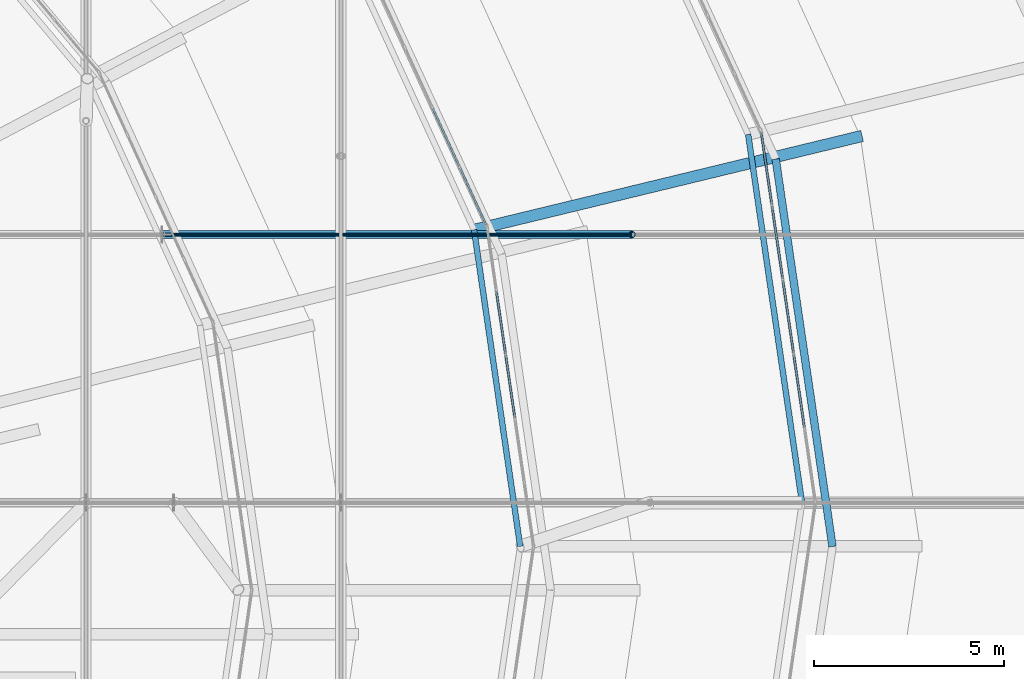
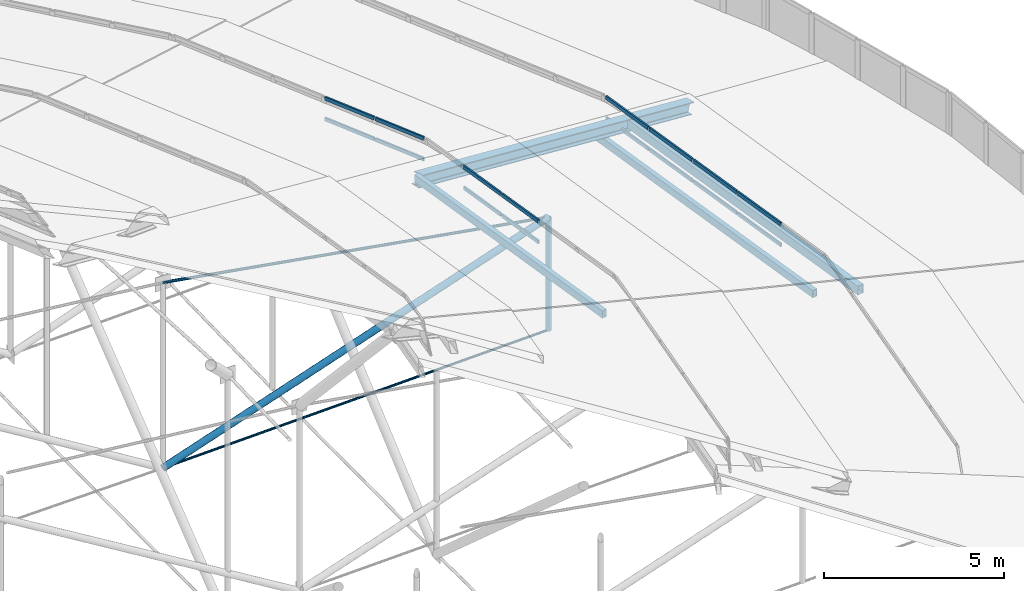
# One storey, part 96 of 173: 24 members, 3 elements without a shape of their own.
"""IFC4 building model written with IfcOpenShell, lengths in metres."""

import ifcopenshell
import ifcopenshell.guid

model = None  # the IFC model being written
_history = None  # IfcOwnerHistory: only IFC2X3 demands one
_inside = {}  # id of a spatial element -> (the spatial element, [elements in it])
_under = {}  # id of a project, library or spatial element -> (it, [spatial elements below it])
_declared = {}  # id of a project -> (the project, [libraries it declares])
_typed = {}  # id of a type object -> (the type object, [elements of that type])
_made_of = {}  # id of a material, layer set ... -> (it, [elements and type objects made of it])


def new_model(schema):
    """Start an empty IFC model of exactly this schema.

    Asked for "IFC4X3", IfcOpenShell would pick the latest addendum, in which some entities
    have other attributes; the version numbers below select the first issue.
    IFC2X3 requires an IfcOwnerHistory on every rooted entity: one is made here for all.
    """
    global model, _history
    if schema == "IFC4X3":
        model = ifcopenshell.file(schema_version=(4, 3, 0, 0))
    else:
        model = ifcopenshell.file(schema=schema)
    _inside.clear()
    _under.clear()
    _declared.clear()
    _typed.clear()
    _made_of.clear()
    _history = None
    if model.schema == "IFC2X3":
        org = make("IfcOrganization", Name="unknown")
        user = make(
            "IfcPersonAndOrganization",
            ThePerson=make("IfcPerson", FamilyName="unknown"),
            TheOrganization=org,
        )
        app = make(
            "IfcApplication",
            ApplicationDeveloper=org,
            Version="unknown",
            ApplicationFullName="unknown",
            ApplicationIdentifier="unknown",
        )
        _history = make(
            "IfcOwnerHistory",
            OwningUser=user,
            OwningApplication=app,
            ChangeAction="ADDED",
            CreationDate=0,
        )
    return model


def make(cls, **values):
    """One entity of the class cls with the attributes given. An attribute that is None is left unset."""
    return model.create_entity(
        cls, **{name: value for name, value in values.items() if value is not None}
    )


def rooted(cls, **values):
    """An entity with a GlobalId (a new one), such as an element, a storey or a relation."""
    return make(cls, GlobalId=ifcopenshell.guid.new(), OwnerHistory=_history, **values)


def si_unit(unit_type, name, prefix=None):
    """IfcSIUnit, for example si_unit("LENGTHUNIT", "METRE", prefix="MILLI")."""
    return make("IfcSIUnit", UnitType=unit_type, Prefix=prefix, Name=name)


def assignment(units):
    """IfcUnitAssignment: the units of a project."""
    return None if units is None else make("IfcUnitAssignment", Units=units)


def point(xyz):
    """IfcCartesianPoint."""
    return None if xyz is None else make("IfcCartesianPoint", Coordinates=xyz)


def direction(xyz):
    """IfcDirection."""
    return None if xyz is None else make("IfcDirection", DirectionRatios=xyz)


def frame(location, z_axis=None, x_axis=None):
    """IfcAxis2Placement3D, a coordinate frame: its origin and axes. An axis left out is left unset."""
    return make(
        "IfcAxis2Placement3D",
        Location=point(location),
        Axis=direction(z_axis),
        RefDirection=direction(x_axis),
    )


def frame_2d(location, x_axis=None):
    """IfcAxis2Placement2D, a coordinate frame in the plane: its origin and x axis."""
    return make(
        "IfcAxis2Placement2D", Location=point(location), RefDirection=direction(x_axis)
    )


def origin():
    """The frame at (0, 0, 0) with its axes left unset."""
    return frame((0.0, 0.0, 0.0))


def origin_2d():
    """The frame at (0, 0) in the plane with its x axis left unset."""
    return frame_2d((0.0, 0.0))


def place(relative_to, where):
    """IfcLocalPlacement: puts the frame where relative to a parent placement (None: the world)."""
    return make(
        "IfcLocalPlacement", PlacementRelTo=relative_to, RelativePlacement=where
    )


def context(
    kind, dimensions, precision=None, world=None, true_north=None, identifier=None
):
    """IfcGeometricRepresentationContext, for example the 3D "Model" context."""
    return make(
        "IfcGeometricRepresentationContext",
        ContextIdentifier=identifier,
        ContextType=kind,
        CoordinateSpaceDimension=dimensions,
        Precision=precision,
        WorldCoordinateSystem=world,
        TrueNorth=true_north,
    )


def subcontext(parent, identifier, kind, view, scale=None):
    """IfcGeometricRepresentationSubContext, for example "Body" below "Model"."""
    return make(
        "IfcGeometricRepresentationSubContext",
        ContextIdentifier=identifier,
        ContextType=kind,
        ParentContext=parent,
        TargetScale=scale,
        TargetView=view,
    )


def project(units=None, contexts=None):
    """IfcProject with its units and contexts."""
    return rooted(
        "IfcProject",
        Name="project",
        RepresentationContexts=contexts,
        UnitsInContext=assignment(units),
    )


def spatial(cls, under=None, at=None, **own):
    """A site, building, storey or space (cls), placed at a placement, below another one or the project."""
    s = rooted(cls, ObjectPlacement=at, **own)
    if under is not None:
        _under.setdefault(under.id(), (under, []))[1].append(s)
    return s


def profile(cls, at=None, kind="AREA", **sizes):
    """A parametric profile (cls). Its sizes go by their IFC names, for example OverallWidth=200.0."""
    return make(cls, ProfileType=kind, Position=at, **sizes)


def rectangle(**sizes):
    """IfcRectangleProfileDef."""
    return profile("IfcRectangleProfileDef", **sizes)


def hollow_rectangle(**sizes):
    """IfcRectangleHollowProfileDef."""
    return profile("IfcRectangleHollowProfileDef", **sizes)


def circle(**sizes):
    """IfcCircleProfileDef."""
    return profile("IfcCircleProfileDef", **sizes)


def hollow_circle(**sizes):
    """IfcCircleHollowProfileDef."""
    return profile("IfcCircleHollowProfileDef", **sizes)


def i_section(**sizes):
    """IfcIShapeProfileDef."""
    return profile("IfcIShapeProfileDef", **sizes)


def extrude(swept, where, along, depth):
    """IfcExtrudedAreaSolid: the profile swept, set in the frame where, extruded along a direction by depth."""
    return make(
        "IfcExtrudedAreaSolid",
        SweptArea=swept,
        Position=where,
        ExtrudedDirection=direction(along),
        Depth=depth,
    )


def shape(context_of_items, identifier, shape_type, items):
    """IfcShapeRepresentation: the items that make up one representation, for example the "Body"."""
    return make(
        "IfcShapeRepresentation",
        ContextOfItems=context_of_items,
        RepresentationIdentifier=identifier,
        RepresentationType=shape_type,
        Items=items,
    )


def material(Name=None, Category=None):
    """IfcMaterial."""
    return make("IfcMaterial", Name=Name, Category=Category)


def material_profile(
    of_material, cross_section, Name=None, Category=None, Priority=None
):
    """IfcMaterialProfile: a cross section and its material."""
    return make(
        "IfcMaterialProfile",
        Name=Name,
        Material=of_material,
        Profile=cross_section,
        Priority=Priority,
        Category=Category,
    )


def profile_set(profiles, Name=None, composite=None):
    """IfcMaterialProfileSet."""
    return make(
        "IfcMaterialProfileSet",
        Name=Name,
        MaterialProfiles=profiles,
        CompositeProfile=composite,
    )


def made_of(thing, what):
    """Note that an element or type object is made of a material, layer set ...; save() writes the relation."""
    if what is not None:
        _made_of.setdefault(what.id(), (what, []))[1].append(thing)
    return thing


def type_object(cls, material=None, **own):
    """A type object (cls), such as IfcWallType, which elements share."""
    return made_of(rooted(cls, **own), material)


def element(
    cls,
    number,
    at=None,
    inside=None,
    cuts=None,
    type_object=None,
    material=None,
    context=None,
    identifier="Body",
    shape_type=None,
    held_by="IfcProductDefinitionShape",
    body=None,
    shapes=None,
    **own,
):
    """One element of the class cls, such as IfcWall. Its Tag is "e" and its number.

    at: its placement. inside: the storey or other place that contains it. cuts: it is an
    opening in that element (IfcRelVoidsElement). A single representation is given by context,
    identifier, shape_type and body (its items); several are given by shapes. held_by: the class
    of the entity that holds the representations. save() writes the other relations.
    """
    e = rooted(cls, Tag="e%d" % number, ObjectPlacement=at, **own)
    if body is not None:
        shapes = [shape(context, identifier, shape_type, body)]
    if shapes is not None:
        e.Representation = make(held_by, Representations=shapes)
    if inside is not None:
        _inside.setdefault(inside.id(), (inside, []))[1].append(e)
    if cuts is not None:
        rooted(
            "IfcRelVoidsElement", RelatingBuildingElement=cuts, RelatedOpeningElement=e
        )
    if type_object is not None:
        _typed.setdefault(type_object.id(), (type_object, []))[1].append(e)
    return made_of(e, material)


def aggregate(whole, parts):
    """IfcRelAggregates: a whole, such as a stair, and the parts it consists of."""
    return rooted("IfcRelAggregates", RelatingObject=whole, RelatedObjects=parts)


def save(model, path):
    """Write the relations noted so far, then the file.

    IfcRelAggregates (storeys below a building ...), IfcRelContainedInSpatialStructure (elements
    in a storey), IfcRelDefinesByType, IfcRelAssociatesMaterial and IfcRelDeclares: one each for
    every whole, place, type object, material and project.
    """
    for whole, parts in _under.values():
        aggregate(whole, parts)
    for where, things in _inside.values():
        rooted(
            "IfcRelContainedInSpatialStructure",
            RelatedElements=things,
            RelatingStructure=where,
        )
    for kind, things in _typed.values():
        rooted("IfcRelDefinesByType", RelatedObjects=things, RelatingType=kind)
    for what, things in _made_of.values():
        rooted("IfcRelAssociatesMaterial", RelatedObjects=things, RelatingMaterial=what)
    for by, libraries in _declared.values():
        rooted("IfcRelDeclares", RelatingContext=by, RelatedDefinitions=libraries)
    model.write(path)


model = new_model("IFC4")

# Units and contexts
model_context = context("Model", 3, precision=1e-05, world=origin(), true_north=direction((0.0, 1.0)))
body_context = subcontext(model_context, "Body", "Model", "MODEL_VIEW")
ifc_project = project(units=[si_unit("LENGTHUNIT", "METRE"), si_unit("AREAUNIT", "SQUARE_METRE"), si_unit("VOLUMEUNIT", "CUBIC_METRE"), si_unit("PLANEANGLEUNIT", "RADIAN"), si_unit("MASSUNIT", "GRAM", prefix="KILO")], contexts=[model_context])

# Site, building, storey
site_placement = place(None, origin())
site = spatial("IfcSite", under=ifc_project, at=site_placement, CompositionType="ELEMENT")
building_placement = place(site_placement, origin())
building = spatial("IfcBuilding", under=site, at=building_placement, Name="Glasvene Arena", CompositionType="ELEMENT")
storey_placement = place(building_placement, frame((0.0, 0.0, 28.800048828125)))
storey = spatial("IfcBuildingStorey", under=building, at=storey_placement, Name="RF", CompositionType="ELEMENT", Elevation=28.800048828125)

# Curtain wall, members
ifc_material_1 = material(Name="Low-emissivity laminated double glazing", Category="glass")
curtain_wall_type_1 = type_object("IfcCurtainWallType", Name="CW-PET1-986x75", PredefinedType="USERDEFINED", material=ifc_material_1)
curtain_wall_1_placement = place(storey_placement, frame((133.85009765625, 73.0, 0.0)))
curtain_wall_1 = element("IfcCurtainWall", 1, at=curtain_wall_1_placement, inside=storey, type_object=curtain_wall_type_1, Name="Petal ring 1-2 clerestory curtain wall 01", ObjectType="CURTAIN WALL", PredefinedType="USERDEFINED")
ifc_material_2 = material(Name="Anodised architectural aluminium", Category="aluminium")
ifc_material_profile_1 = material_profile(ifc_material_2, rectangle(XDim=0.050048828125, YDim=0.1201171875, at=origin_2d()), Name="ALU TRANSOM 50x120")
ifc_profile_set_1 = profile_set([ifc_material_profile_1], Name="Anodised architectural aluminium")
member_type_1 = type_object("IfcMemberType", Name="CW-TRN-120", PredefinedType="USERDEFINED", material=ifc_profile_set_1)
member_1_placement = place(storey_placement, frame((133.561279296875, 74.976318359375, 2.60498046875), z_axis=(-0.144674822999, 0.989479254755, 0.0), x_axis=(-0.989479254755, -0.144674822999, 0.0)))
member_1 = element("IfcMember", 2, at=member_1_placement, type_object=member_type_1, Name="CW-081 transom 2.1", ObjectType="TRANSOM", PredefinedType="USERDEFINED", context=body_context, shape_type="SweptSolid", body=[
    extrude(rectangle(XDim=0.050048828125, YDim=0.1201171875, at=origin_2d()), origin(), (0.0, 0.0, 1.0), 1.922119140625),
])
member_2_placement = place(storey_placement, frame((133.561279296875, 74.976318359375, 3.304931640625), z_axis=(-0.144674822999, 0.989479254755, 0.0), x_axis=(-0.989479254755, -0.144674822999, 0.0)))
member_2 = element("IfcMember", 3, at=member_2_placement, type_object=member_type_1, Name="CW-081 transom 2.2", ObjectType="TRANSOM", PredefinedType="USERDEFINED", context=body_context, shape_type="SweptSolid", body=[
    extrude(rectangle(XDim=0.050048828125, YDim=0.1201171875, at=origin_2d()), origin(), (0.0, 0.0, 1.0), 1.922119140625),
])
member_3_placement = place(storey_placement, frame((133.27587890625, 76.927734375, 2.60498046875), z_axis=(-0.144532293107, 0.989500084007, 0.0), x_axis=(-0.989500084007, -0.144532293107, 0.0)))
member_3 = element("IfcMember", 4, at=member_3_placement, type_object=member_type_1, Name="CW-081 transom 3.1", ObjectType="TRANSOM", PredefinedType="USERDEFINED", context=body_context, shape_type="SweptSolid", body=[
    extrude(rectangle(XDim=0.050048828125, YDim=0.1201171875, at=origin_2d()), origin(), (0.0, 0.0, 1.0), 1.92236328125),
])
member_4_placement = place(storey_placement, frame((133.27587890625, 76.927734375, 3.304931640625), z_axis=(-0.144532293107, 0.989500084007, 0.0), x_axis=(-0.989500084007, -0.144532293107, 0.0)))
member_4 = element("IfcMember", 5, at=member_4_placement, type_object=member_type_1, Name="CW-081 transom 3.2", ObjectType="TRANSOM", PredefinedType="USERDEFINED", context=body_context, shape_type="SweptSolid", body=[
    extrude(rectangle(XDim=0.050048828125, YDim=0.1201171875, at=origin_2d()), origin(), (0.0, 0.0, 1.0), 1.92236328125),
])
member_5_placement = place(storey_placement, frame((132.99072265625, 78.879150390625, 2.60498046875), z_axis=(-0.144532293107, 0.989500084007, 0.0), x_axis=(-0.989500084007, -0.144532293107, 0.0)))
member_5 = element("IfcMember", 6, at=member_5_placement, type_object=member_type_1, Name="CW-081 transom 4.1", ObjectType="TRANSOM", PredefinedType="USERDEFINED", context=body_context, shape_type="SweptSolid", body=[
    extrude(rectangle(XDim=0.050048828125, YDim=0.1201171875, at=origin_2d()), origin(), (0.0, 0.0, 1.0), 1.92236328125),
])
member_6_placement = place(storey_placement, frame((132.99072265625, 78.879150390625, 3.304931640625), z_axis=(-0.144532293107, 0.989500084007, 0.0), x_axis=(-0.989500084007, -0.144532293107, 0.0)))
member_6 = element("IfcMember", 7, at=member_6_placement, type_object=member_type_1, Name="CW-081 transom 4.2", ObjectType="TRANSOM", PredefinedType="USERDEFINED", context=body_context, shape_type="SweptSolid", body=[
    extrude(rectangle(XDim=0.050048828125, YDim=0.1201171875, at=origin_2d()), origin(), (0.0, 0.0, 1.0), 1.92236328125),
])
member_7_placement = place(storey_placement, frame((132.70556640625, 80.830810546875, 2.60498046875), z_axis=(-0.144645532011, 0.989483537038, 0.0), x_axis=(-0.989483537038, -0.144645532011, 0.0)))
member_7 = element("IfcMember", 8, at=member_7_placement, type_object=member_type_1, Name="CW-081 transom 5.1", ObjectType="TRANSOM", PredefinedType="USERDEFINED", context=body_context, shape_type="SweptSolid", body=[
    extrude(rectangle(XDim=0.050048828125, YDim=0.1201171875, at=origin_2d()), origin(), (0.0, 0.0, 1.0), 1.897216796875),
])
member_8_placement = place(storey_placement, frame((132.70556640625, 80.830810546875, 3.304931640625), z_axis=(-0.144645532011, 0.989483537038, 0.0), x_axis=(-0.989483537038, -0.144645532011, 0.0)))
member_8 = element("IfcMember", 9, at=member_8_placement, type_object=member_type_1, Name="CW-081 transom 5.2", ObjectType="TRANSOM", PredefinedType="USERDEFINED", context=body_context, shape_type="SweptSolid", body=[
    extrude(rectangle(XDim=0.050048828125, YDim=0.1201171875, at=origin_2d()), origin(), (0.0, 0.0, 1.0), 1.897216796875),
])
aggregate(curtain_wall_1, [member_1, member_2, member_3, member_4, member_5, member_6, member_7, member_8])

curtain_wall_type_2 = type_object("IfcCurtainWallType", Name="CW-PET2-849x75", PredefinedType="USERDEFINED", material=ifc_material_1)
curtain_wall_2_placement = place(storey_placement, frame((126.449951171875, 71.85009765625, 0.0)))
curtain_wall_2 = element("IfcCurtainWall", 10, at=curtain_wall_2_placement, inside=storey, type_object=curtain_wall_type_2, Name="Petal ring 2-3 clerestory curtain wall 01", ObjectType="CURTAIN WALL", PredefinedType="USERDEFINED")
member_9_placement = place(storey_placement, frame((125.95703125, 75.234130859375, 5.204833984375), z_axis=(-0.144034828632, 0.989572618933, 0.0), x_axis=(-0.989572618933, -0.144034828632, 0.0)))
member_9 = element("IfcMember", 11, at=member_9_placement, type_object=member_type_1, Name="CW-087 transom 3.1", ObjectType="TRANSOM", PredefinedType="USERDEFINED", context=body_context, shape_type="SweptSolid", body=[
    extrude(rectangle(XDim=0.050048828125, YDim=0.1201171875, at=origin_2d()), origin(), (0.0, 0.0, 1.0), 1.6474609375),
])
member_10_placement = place(storey_placement, frame((125.95703125, 75.234130859375, 5.905029296875), z_axis=(-0.144034828632, 0.989572618933, 0.0), x_axis=(-0.989572618933, -0.144034828632, 0.0)))
member_10 = element("IfcMember", 12, at=member_10_placement, type_object=member_type_1, Name="CW-087 transom 3.2", ObjectType="TRANSOM", PredefinedType="USERDEFINED", context=body_context, shape_type="SweptSolid", body=[
    extrude(rectangle(XDim=0.050048828125, YDim=0.1201171875, at=origin_2d()), origin(), (0.0, 0.0, 1.0), 1.6474609375),
])
member_11_placement = place(storey_placement, frame((125.71240234375, 76.9140625, 5.204833984375), z_axis=(-0.144201078273, 0.98954840661, 0.0), x_axis=(-0.98954840661, -0.144201078273, 0.0)))
member_11 = element("IfcMember", 13, at=member_11_placement, type_object=member_type_1, Name="CW-087 transom 4.1", ObjectType="TRANSOM", PredefinedType="USERDEFINED", context=body_context, shape_type="SweptSolid", body=[
    extrude(rectangle(XDim=0.050048828125, YDim=0.1201171875, at=origin_2d()), origin(), (0.0, 0.0, 1.0), 1.6474609375),
])
member_12_placement = place(storey_placement, frame((125.71240234375, 76.9140625, 5.905029296875), z_axis=(-0.144201078273, 0.98954840661, 0.0), x_axis=(-0.98954840661, -0.144201078273, 0.0)))
member_12 = element("IfcMember", 14, at=member_12_placement, type_object=member_type_1, Name="CW-087 transom 4.2", ObjectType="TRANSOM", PredefinedType="USERDEFINED", context=body_context, shape_type="SweptSolid", body=[
    extrude(rectangle(XDim=0.050048828125, YDim=0.1201171875, at=origin_2d()), origin(), (0.0, 0.0, 1.0), 1.6474609375),
])
aggregate(curtain_wall_2, [member_9, member_10, member_11, member_12])

curtain_wall_type_3 = type_object("IfcCurtainWallType", Name="CW-PET2-861x75", PredefinedType="USERDEFINED", material=ifc_material_1)
curtain_wall_3_placement = place(storey_placement, frame((125.226806640625, 80.248779296875, 0.0)))
curtain_wall_3 = element("IfcCurtainWall", 15, at=curtain_wall_3_placement, inside=storey, type_object=curtain_wall_type_3, Name="Petal ring 2-3 clerestory curtain wall 02", ObjectType="CURTAIN WALL", PredefinedType="USERDEFINED")
member_13_placement = place(storey_placement, frame((125.205810546875, 80.294189453125, 5.204833984375), z_axis=(-0.416593451122, 0.909092897609, 0.0), x_axis=(-0.909092897609, -0.416593451122, 0.0)))
member_13 = element("IfcMember", 16, at=member_13_placement, type_object=member_type_1, Name="CW-088 transom 1.1", ObjectType="TRANSOM", PredefinedType="USERDEFINED", context=body_context, shape_type="SweptSolid", body=[
    extrude(rectangle(XDim=0.050048828125, YDim=0.1201171875, at=origin_2d()), origin(), (0.0, 0.0, 1.0), 1.646728515625),
])
member_14_placement = place(storey_placement, frame((125.205810546875, 80.294189453125, 5.905029296875), z_axis=(-0.416593451122, 0.909092897609, 0.0), x_axis=(-0.909092897609, -0.416593451122, 0.0)))
member_14 = element("IfcMember", 17, at=member_14_placement, type_object=member_type_1, Name="CW-088 transom 1.2", ObjectType="TRANSOM", PredefinedType="USERDEFINED", context=body_context, shape_type="SweptSolid", body=[
    extrude(rectangle(XDim=0.050048828125, YDim=0.1201171875, at=origin_2d()), origin(), (0.0, 0.0, 1.0), 1.646728515625),
])
member_15_placement = place(storey_placement, frame((124.4990234375, 81.836669921875, 5.204833984375), z_axis=(-0.416639624977, 0.909071736938, 0.0), x_axis=(-0.909071736938, -0.416639624977, 0.0)))
member_15 = element("IfcMember", 18, at=member_15_placement, type_object=member_type_1, Name="CW-088 transom 2.1", ObjectType="TRANSOM", PredefinedType="USERDEFINED", context=body_context, shape_type="SweptSolid", body=[
    extrude(rectangle(XDim=0.050048828125, YDim=0.1201171875, at=origin_2d()), origin(), (0.0, 0.0, 1.0), 1.671875),
])
member_16_placement = place(storey_placement, frame((124.4990234375, 81.836669921875, 5.905029296875), z_axis=(-0.416639624977, 0.909071736938, 0.0), x_axis=(-0.909071736938, -0.416639624977, 0.0)))
member_16 = element("IfcMember", 19, at=member_16_placement, type_object=member_type_1, Name="CW-088 transom 2.2", ObjectType="TRANSOM", PredefinedType="USERDEFINED", context=body_context, shape_type="SweptSolid", body=[
    extrude(rectangle(XDim=0.050048828125, YDim=0.1201171875, at=origin_2d()), origin(), (0.0, 0.0, 1.0), 1.671875),
])
aggregate(curtain_wall_3, [member_13, member_14, member_15, member_16])

# Members
ifc_material_3 = material(Name="High-strength steel spiral strand S460", Category="steel")
ifc_material_profile_2 = material_profile(ifc_material_3, circle(Radius=0.03759765625, at=origin_2d()), Name="LCSS D75")
ifc_profile_set_2 = profile_set([ifc_material_profile_2], Name="High-strength steel spiral strand S460")
member_type_2 = type_object("IfcMemberType", Name="MB-CABLE-75", PredefinedType="USERDEFINED", material=ifc_profile_set_2)
member_17_placement = place(storey_placement, frame((116.692138671875, 80.03955078125, -2.112548828125), z_axis=(0.99957662633, 0.0, 0.029095843266), x_axis=(0.0, 1.0, 0.0)))
element("IfcMember", 20, at=member_17_placement, inside=storey, type_object=member_type_2, Name="Lower stabilization roof cable EW05-07", ObjectType="ROOF CABLE", PredefinedType="USERDEFINED", context=body_context, shape_type="SweptSolid", body=[
    extrude(circle(Radius=0.03759765625, at=origin_2d()), origin(), (0.0, 0.0, 1.0), 12.351318359375),
])
ifc_material_profile_3 = material_profile(ifc_material_3, circle(Radius=0.044921875, at=origin_2d()), Name="LCSS D90")
ifc_profile_set_3 = profile_set([ifc_material_profile_3], Name="High-strength steel spiral strand S460")
member_type_3 = type_object("IfcMemberType", Name="MB-CABLE-90", PredefinedType="USERDEFINED", material=ifc_profile_set_3)
member_18_placement = place(storey_placement, frame((116.692138671875, 80.03955078125, 4.1669921875), z_axis=(0.985761969156, 0.0, -0.168146781608), x_axis=(0.0, 1.0, 0.0)))
element("IfcMember", 21, at=member_18_placement, inside=storey, type_object=member_type_3, Name="Upper lens roof cable EW05-07", ObjectType="ROOF CABLE", PredefinedType="USERDEFINED", context=body_context, shape_type="SweptSolid", body=[
    extrude(circle(Radius=0.044921875, at=origin_2d()), origin(), (0.0, 0.0, 1.0), 12.5244140625),
])
ifc_material_4 = material(Name="Steel S355J2", Category="steel")
ifc_material_profile_4 = material_profile(ifc_material_4, i_section(OverallWidth=0.300048828125, OverallDepth=0.39990234375, WebThickness=0.013427734375, FlangeThickness=0.02392578125, FilletRadius=0.027099609375, at=origin_2d()), Name="HEB 400")
ifc_profile_set_4 = profile_set([ifc_material_profile_4], Name="Steel S355J2")
member_type_4 = type_object("IfcMemberType", Name="MB-CHORD-HEB400", PredefinedType="CHORD", material=ifc_profile_set_4)
member_19_placement = place(storey_placement, frame((135.031005859375, 82.616943359375, 2.14990234375), z_axis=(-0.944148847242, -0.228542974938, 0.23738378811), x_axis=(0.235267885238, -0.971930564483, 0.0)))
element("IfcMember", 22, at=member_19_placement, inside=storey, type_object=member_type_4, Name="Petal ring 2 radial rib 02", PredefinedType="CHORD", context=body_context, shape_type="SweptSolid", body=[
    extrude(i_section(OverallWidth=0.300048828125, OverallDepth=0.39990234375, WebThickness=0.013427734375, FlangeThickness=0.02392578125, FilletRadius=0.027099609375, at=origin_2d()), origin(), (0.0, 0.0, 1.0), 10.7421875),
])
ifc_material_profile_5 = material_profile(ifc_material_4, hollow_rectangle(XDim=0.14990234375, YDim=0.25, WallThickness=0.010009765625, at=origin_2d()), Name="RHS 250x150x10.0")
ifc_profile_set_5 = profile_set([ifc_material_profile_5], Name="Steel S355J2")
member_type_5 = type_object("IfcMemberType", Name="MB-PURLIN-RHS250", PredefinedType="PURLIN", material=ifc_profile_set_5)
member_20_placement = place(storey_placement, frame((133.5, 73.0, 2.181884765625), z_axis=(-0.14473712176, 0.989470143857, 0.0), x_axis=(-0.989470143857, -0.14473712176, 0.0)))
element("IfcMember", 23, at=member_20_placement, inside=storey, type_object=member_type_5, Name="Petal ring 1 ridge purlin 01", PredefinedType="PURLIN", context=body_context, shape_type="SweptSolid", body=[
    extrude(hollow_rectangle(XDim=0.14990234375, YDim=0.25, WallThickness=0.010009765625, at=origin_2d()), origin(), (0.0, 0.0, 1.0), 9.769775390625),
])
member_21_placement = place(storey_placement, frame((126.10009765625, 71.85009765625, 4.781982421875), z_axis=(-0.144224475663, 0.989544996764, 0.0), x_axis=(-0.989544996764, -0.144224475663, 0.0)))
element("IfcMember", 24, at=member_21_placement, inside=storey, type_object=member_type_5, Name="Petal ring 2 ridge purlin 01", PredefinedType="PURLIN", context=body_context, shape_type="SweptSolid", body=[
    extrude(hollow_rectangle(XDim=0.14990234375, YDim=0.25, WallThickness=0.010009765625, at=origin_2d()), origin(), (0.0, 0.0, 1.0), 8.399658203125),
])
ifc_material_profile_6 = material_profile(ifc_material_4, hollow_rectangle(XDim=0.199951171875, YDim=0.300048828125, WallThickness=0.012451171875, at=origin_2d()), Name="RHS 300x200x12.5")
ifc_profile_set_6 = profile_set([ifc_material_profile_6], Name="Steel S355J2")
member_type_6 = type_object("IfcMemberType", Name="MB-PURLIN-RHS300", PredefinedType="PURLIN", material=ifc_profile_set_6)
member_22_placement = place(storey_placement, frame((134.300048828125, 71.85009765625, 2.728515625), z_axis=(-0.145011271641, 0.989430003132, 0.0), x_axis=(-0.989430003132, -0.145011271641, 0.0)))
element("IfcMember", 25, at=member_22_placement, inside=storey, type_object=member_type_6, Name="Petal ring 2 outer purlin 01", PredefinedType="PURLIN", context=body_context, shape_type="SweptSolid", body=[
    extrude(hollow_rectangle(XDim=0.199951171875, YDim=0.300048828125, WallThickness=0.012451171875, at=origin_2d()), origin(), (0.0, 0.0, 1.0), 10.280029296875),
])
ifc_material_profile_7 = material_profile(ifc_material_4, hollow_circle(Radius=0.084228515625, WallThickness=0.008056640625, at=origin_2d()), Name="CHS 168.3x8.0")
ifc_profile_set_7 = profile_set([ifc_material_profile_7], Name="Steel S355J2")
member_type_7 = type_object("IfcMemberType", Name="MB-WEB-CHS168", PredefinedType="BRACE", material=ifc_profile_set_7)
member_23_placement = place(storey_placement, frame((129.038330078125, 80.03955078125, -1.753173828125), z_axis=(0.0, 0.0, 1.0), x_axis=(1.0, 0.0, 0.0)))
element("IfcMember", 26, at=member_23_placement, inside=storey, type_object=member_type_7, Name="Cable-truss vertical strut EW05-07", PredefinedType="BRACE", context=body_context, shape_type="SweptSolid", body=[
    extrude(hollow_circle(Radius=0.084228515625, WallThickness=0.008056640625, at=origin_2d()), origin(), (0.0, 0.0, 1.0), 3.814208984375),
])
ifc_material_profile_8 = material_profile(ifc_material_4, hollow_circle(Radius=0.109619140625, WallThickness=0.010009765625, at=origin_2d()), Name="CHS 219.1x10.0")
ifc_profile_set_8 = profile_set([ifc_material_profile_8], Name="Steel S355J2")
member_type_8 = type_object("IfcMemberType", Name="MB-WEB-CHS219", PredefinedType="BRACE", material=ifc_profile_set_8)
member_24_placement = place(storey_placement, frame((116.692138671875, 80.03955078125, -2.112548828125), z_axis=(0.947335367917, 0.0, 0.320243189926), x_axis=(0.0, 1.0, 0.0)))
element("IfcMember", 27, at=member_24_placement, inside=storey, type_object=member_type_8, Name="Cable-truss diagonal web strut EW05-07", PredefinedType="BRACE", context=body_context, shape_type="SweptSolid", body=[
    extrude(hollow_circle(Radius=0.109619140625, WallThickness=0.010009765625, at=origin_2d()), origin(), (0.0, 0.0, 1.0), 13.032470703125),
])

save(model, "model.ifc")
